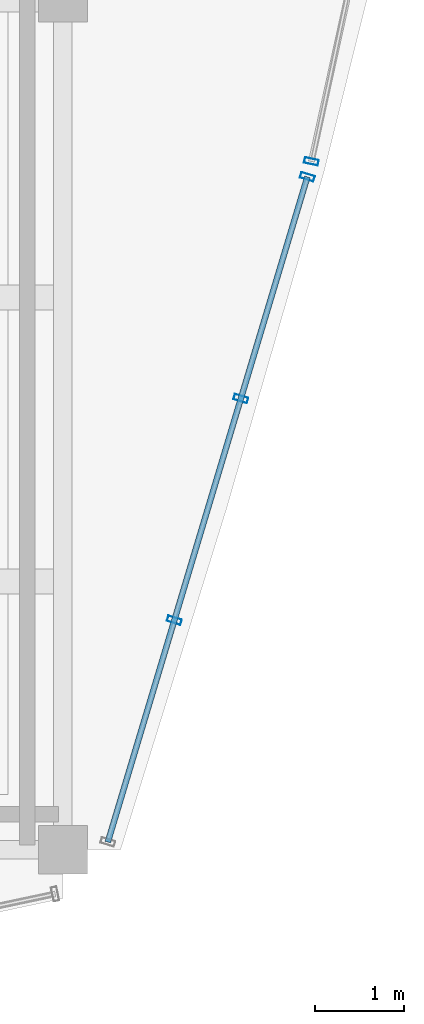
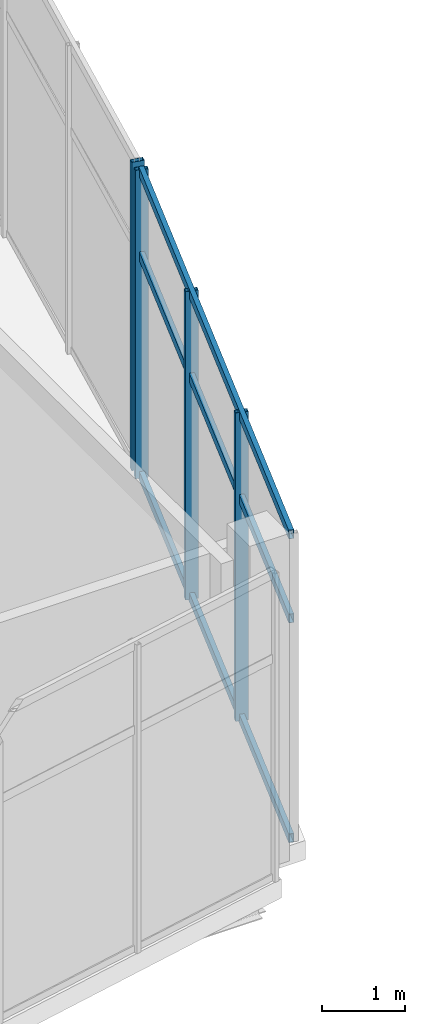
# One storey, part 88 of 157: 7 members, 2 elements without a shape of their own.
"""IFC4 building model written with IfcOpenShell, lengths in metres."""

from ifc_helpers import new_model, si_unit, direction, frame, origin, origin_2d, place, context, subcontext, project, spatial, hollow_rectangle, extrude, material, layer, layer_set, material_profile, profile_set, type_object, element, aggregate, save


model = new_model("IFC4")

# Units and contexts
model_context = context("Model", 3, precision=1e-05, world=origin(), true_north=direction((0.0, 1.0)))
body_context = subcontext(model_context, "Body", "Model", "MODEL_VIEW")
ifc_project = project(units=[si_unit("LENGTHUNIT", "METRE"), si_unit("AREAUNIT", "SQUARE_METRE"), si_unit("VOLUMEUNIT", "CUBIC_METRE"), si_unit("PLANEANGLEUNIT", "RADIAN"), si_unit("MASSUNIT", "GRAM", prefix="KILO")], contexts=[model_context])

# Site, building, storey
site_placement = place(None, origin())
site = spatial("IfcSite", under=ifc_project, at=site_placement, CompositionType="ELEMENT")
building_placement = place(site_placement, origin())
building = spatial("IfcBuilding", under=site, at=building_placement, Name="Chalmorin Arch Market", CompositionType="ELEMENT")
storey_placement = place(building_placement, frame((0.0, 0.0, 4.800048828125)))
storey = spatial("IfcBuildingStorey", under=building, at=storey_placement, Name="L01", CompositionType="ELEMENT", Elevation=4.800048828125)

# Curtain wall, members
ifc_material = material(Name="Aluminium 6063-T6", Category="aluminium")
ifc_layer_1 = layer(ifc_material, 0.159912109375)
ifc_layer_set_1 = layer_set([ifc_layer_1], Name="Aluminium 6063-T6")
curtain_wall_type_1 = type_object("IfcCurtainWallType", Name="CulinaryStudioCurtainWall-CW3-7820x4520", PredefinedType="NOTDEFINED", material=ifc_layer_set_1)
curtain_wall_1_placement = place(storey_placement, origin())
curtain_wall_1 = element("IfcCurtainWall", 1, at=curtain_wall_1_placement, inside=storey, type_object=curtain_wall_type_1, Name="CW-03-179", PredefinedType="NOTDEFINED")
ifc_material_profile_1 = material_profile(ifc_material, hollow_rectangle(XDim=0.06494140625, YDim=0.159912109375, WallThickness=0.00390625, at=origin_2d()), Name="ALU65X160X4")
ifc_profile_set_1 = profile_set([ifc_material_profile_1], Name="Aluminium 6063-T6")
member_type_1 = type_object("IfcMemberType", Name="CurtainWallMullion-65x160", PredefinedType="MULLION", material=ifc_profile_set_1)
member_1_placement = place(storey_placement, frame((116.455322265625, 74.58447265625, 0.0), z_axis=(0.0, 0.0, 1.0), x_axis=(0.292371704723, 0.956304755963, 0.0)))
member_1 = element("IfcMember", 2, at=member_1_placement, type_object=member_type_1, Name="ML-179-02", PredefinedType="MULLION", context=body_context, shape_type="SweptSolid", body=[
    extrude(hollow_rectangle(XDim=0.06494140625, YDim=0.159912109375, WallThickness=0.00390625, at=origin_2d()), origin(), (0.0, 0.0, 1.0), 4.52001953125),
])
member_2_placement = place(storey_placement, frame((117.20458984375, 77.08251953125, 0.0), z_axis=(0.0, 0.0, 1.0), x_axis=(0.292371704723, 0.956304755963, 0.0)))
member_2 = element("IfcMember", 3, at=member_2_placement, type_object=member_type_1, Name="ML-179-03", PredefinedType="MULLION", context=body_context, shape_type="SweptSolid", body=[
    extrude(hollow_rectangle(XDim=0.06494140625, YDim=0.159912109375, WallThickness=0.00390625, at=origin_2d()), origin(), (0.0, 0.0, 1.0), 4.52001953125),
])
member_3_placement = place(storey_placement, frame((117.9541015625, 79.580810546875, 0.0), z_axis=(0.0, 0.0, 1.0), x_axis=(0.292371704723, 0.956304755963, 0.0)))
member_3 = element("IfcMember", 4, at=member_3_placement, type_object=member_type_1, Name="ML-179-04", PredefinedType="MULLION", context=body_context, shape_type="SweptSolid", body=[
    extrude(hollow_rectangle(XDim=0.06494140625, YDim=0.159912109375, WallThickness=0.00390625, at=origin_2d()), origin(), (0.0, 0.0, 1.0), 4.52001953125),
])

# Curtain wall, member
ifc_layer_2 = layer(ifc_material, 0.159912109375)
ifc_layer_set_2 = layer_set([ifc_layer_2], Name="Aluminium 6063-T6")
curtain_wall_type_2 = type_object("IfcCurtainWallType", Name="CulinaryStudioCurtainWall-CW3-7670x4520", PredefinedType="NOTDEFINED", material=ifc_layer_set_2)
curtain_wall_2_placement = place(storey_placement, origin())
curtain_wall_2 = element("IfcCurtainWall", 5, at=curtain_wall_2_placement, inside=storey, type_object=curtain_wall_type_2, Name="CW-03-181", PredefinedType="NOTDEFINED")
member_4_placement = place(storey_placement, frame((117.999267578125, 79.7548828125, 0.0), z_axis=(0.0, 0.0, 1.0), x_axis=(0.207911690818, 0.978147600734, 0.0)))
member_4 = element("IfcMember", 6, at=member_4_placement, type_object=member_type_1, Name="ML-181-01", PredefinedType="MULLION", context=body_context, shape_type="SweptSolid", body=[
    extrude(hollow_rectangle(XDim=0.06494140625, YDim=0.159912109375, WallThickness=0.00390625, at=origin_2d()), origin(), (0.0, 0.0, 1.0), 4.52001953125),
])
aggregate(curtain_wall_2, [member_4])

# Member
ifc_material_profile_2 = material_profile(ifc_material, hollow_rectangle(XDim=0.06494140625, YDim=0.1298828125, WallThickness=0.00390625, at=origin_2d()), Name="ALU65X130X4")
ifc_profile_set_2 = profile_set([ifc_material_profile_2], Name="Aluminium 6063-T6")
member_type_2 = type_object("IfcMemberType", Name="CurtainWallTransom-65x130", PredefinedType="USERDEFINED", material=ifc_profile_set_2)
member_5_placement = place(storey_placement, frame((115.705810546875, 72.086181640625, 0.034912109375), z_axis=(0.287336435381, 0.957829720202, 0.0), x_axis=(-0.957829720202, 0.287336435381, 0.0)))
member_5 = element("IfcMember", 7, at=member_5_placement, type_object=member_type_2, Name="TR-179-01", ObjectType="TRANSOM", PredefinedType="USERDEFINED", context=body_context, shape_type="SweptSolid", body=[
    extrude(hollow_rectangle(XDim=0.06494140625, YDim=0.1298828125, WallThickness=0.00390625, at=origin_2d()), origin(), (0.0, 0.0, 1.0), 7.82470703125),
])

member_6_placement = place(storey_placement, frame((115.705810546875, 72.086181640625, 3.25439453125), z_axis=(0.287336435381, 0.957829720202, 0.0), x_axis=(-0.957829720202, 0.287336435381, 0.0)))
member_6 = element("IfcMember", 8, at=member_6_placement, type_object=member_type_2, Name="TR-179-02", ObjectType="TRANSOM", PredefinedType="USERDEFINED", context=body_context, shape_type="SweptSolid", body=[
    extrude(hollow_rectangle(XDim=0.06494140625, YDim=0.1298828125, WallThickness=0.00390625, at=origin_2d()), origin(), (0.0, 0.0, 1.0), 7.82470703125),
])

member_7_placement = place(storey_placement, frame((115.705810546875, 72.086181640625, 4.48486328125), z_axis=(0.287336435381, 0.957829720202, 0.0), x_axis=(-0.957829720202, 0.287336435381, 0.0)))
member_7 = element("IfcMember", 9, at=member_7_placement, type_object=member_type_2, Name="TR-179-03", ObjectType="TRANSOM", PredefinedType="USERDEFINED", context=body_context, shape_type="SweptSolid", body=[
    extrude(hollow_rectangle(XDim=0.06494140625, YDim=0.1298828125, WallThickness=0.00390625, at=origin_2d()), origin(), (0.0, 0.0, 1.0), 7.82470703125),
])

aggregate(curtain_wall_1, [member_1, member_2, member_3, member_5, member_6, member_7])

save(model, "model.ifc")
